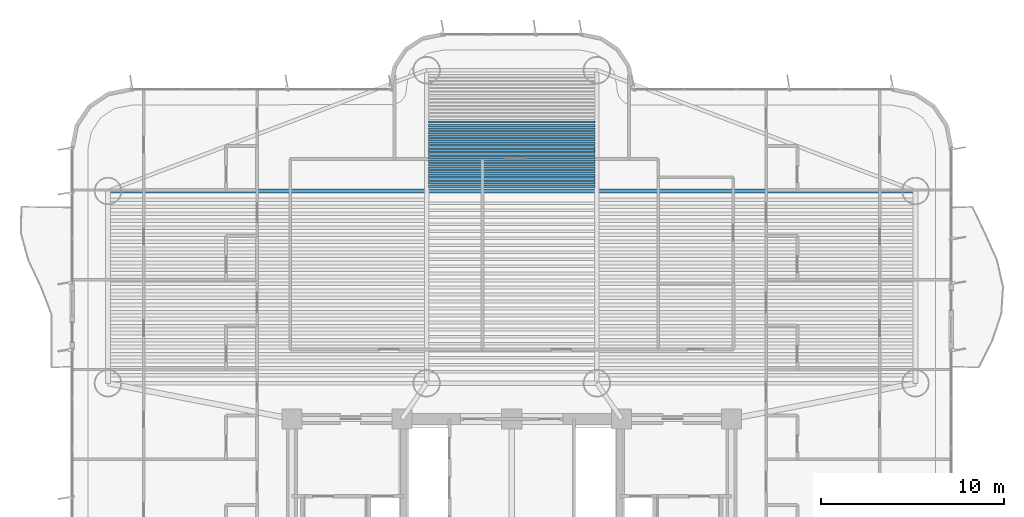
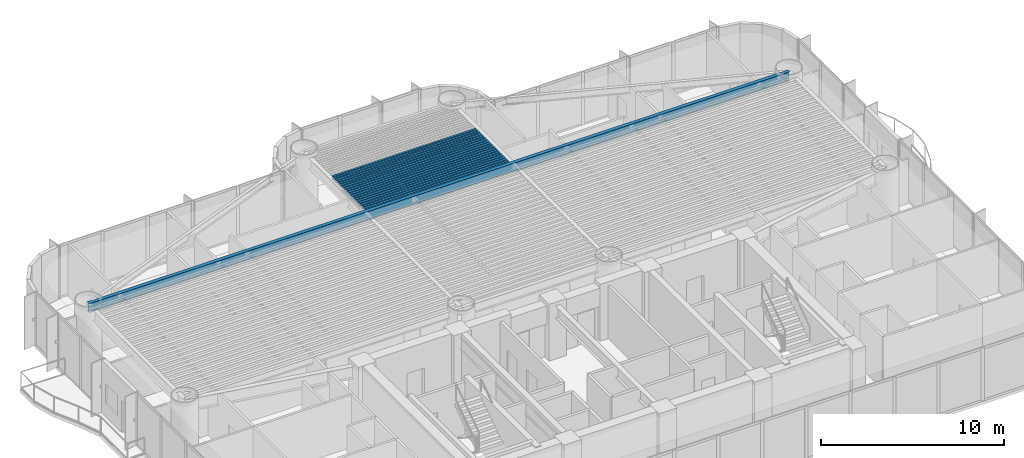
# One storey, part 4 of 19: 20 beams.
"""IFC4 building model written with IfcOpenShell, lengths in metres."""

from ifc_helpers import new_model, si_unit, direction, frame, origin, origin_2d, place, context, subcontext, project, spatial, i_section, extrude, source, transform, mapped, material, material_profile, profile_set, type_object, element, save


model = new_model("IFC4")

# Units and contexts
model_context = context("Model", 3, precision=1e-05, world=origin(), true_north=direction((0.0, 1.0)))
body_context = subcontext(model_context, "Body", "Model", "MODEL_VIEW")
ifc_project = project(units=[si_unit("LENGTHUNIT", "METRE"), si_unit("AREAUNIT", "SQUARE_METRE"), si_unit("VOLUMEUNIT", "CUBIC_METRE"), si_unit("PLANEANGLEUNIT", "RADIAN"), si_unit("MASSUNIT", "GRAM", prefix="KILO")], contexts=[model_context])

# Site, building, storey
site_placement = place(None, origin())
site = spatial("IfcSite", under=ifc_project, at=site_placement, CompositionType="ELEMENT")
building_placement = place(site_placement, origin())
building = spatial("IfcBuilding", under=site, at=building_placement, Name="Brelvock Crest Care Tower", CompositionType="ELEMENT")
storey_placement = place(building_placement, frame((0.0, 0.0, 64.800048828125)))
storey = spatial("IfcBuildingStorey", under=building, at=storey_placement, Name="L16", CompositionType="ELEMENT", Elevation=64.800048828125)

# Beams
ifc_material = material(Name="Steel Grade 350", Category="steel")
ifc_material_profile_1 = material_profile(ifc_material, i_section(OverallWidth=0.22900390625, OverallDepth=0.612060546875, WebThickness=0.011962890625, FlangeThickness=0.01953125, FilletRadius=0.013916015625, at=origin_2d()), Name="610UB125")
ifc_profile_set_1 = profile_set([ifc_material_profile_1], Name="Steel Grade 350")
beam_type_1 = type_object("IfcBeamType", Name="BM-G1", PredefinedType="BEAM", material=ifc_profile_set_1)
shared_shape_1 = source(origin(), body_context, "Body", "SweptSolid", [
    extrude(i_section(OverallWidth=0.22900390625, OverallDepth=0.612060546875, WebThickness=0.011962890625, FlangeThickness=0.01953125, FilletRadius=0.013916015625, at=origin_2d()), origin(), (0.0, 0.0, 1.0), 44.10009765625),
])
beam_placement = place(storey_placement, frame((13.949951171875, 30.449951171875, 3.223876953125), z_axis=(1.0, 0.0, 0.0), x_axis=(0.0, 1.0, 0.0)))
element("IfcBeam", 1, at=beam_placement, inside=storey, type_object=beam_type_1, Name="BM-TWR-L16-11", PredefinedType="BEAM", context=body_context, shape_type="MappedRepresentation", body=[
    mapped(shared_shape_1, transform((0.0, 0.0, 0.0), x_axis=(1.0, 0.0, 0.0), y_axis=(0.0, 1.0, 0.0), z_axis=(0.0, 0.0, 1.0), scale=1.0)),
])
ifc_material_profile_2 = material_profile(ifc_material, i_section(OverallWidth=0.14599609375, OverallDepth=0.256103515625, WebThickness=0.00634765625, FlangeThickness=0.010986328125, FilletRadius=0.0087890625, at=origin_2d()), Name="250UB37.3")
ifc_profile_set_2 = profile_set([ifc_material_profile_2], Name="Steel Grade 350")
beam_type_2 = type_object("IfcBeamType", Name="BM-J3", PredefinedType="JOIST", material=ifc_profile_set_2)
shared_shape_2 = source(origin(), body_context, "Body", "SweptSolid", [
    extrude(i_section(OverallWidth=0.14599609375, OverallDepth=0.256103515625, WebThickness=0.00634765625, FlangeThickness=0.010986328125, FilletRadius=0.0087890625, at=origin_2d()), origin(), (0.0, 0.0, 1.0), 9.06982421875),
])
for number, where, z_axis, x_axis, name in (
    (2, (31.465087890625, 30.714111328125, 3.40185546875), (1.0, 0.0, 0.0), (0.0, 1.0, 0.0), "BM-JN-L16-1"),
    (3, (31.465087890625, 30.90869140625, 3.40185546875), (1.0, 0.0, 0.0), (0.0, 1.0, 0.0), "BM-JN-L16-2"),
    (4, (31.465087890625, 31.103515625, 3.40185546875), (1.0, 0.0, 0.0), (0.0, 1.0, 0.0), "BM-JN-L16-3"),
    (5, (31.465087890625, 31.298095703125, 3.40185546875), (1.0, 0.0, 0.0), (0.0, 1.0, 0.0), "BM-JN-L16-4"),
    (6, (31.465087890625, 31.492919921875, 3.40185546875), (1.0, 0.0, 0.0), (0.0, 1.0, 0.0), "BM-JN-L16-5"),
    (7, (31.465087890625, 31.6875, 3.40185546875), (1.0, 0.0, 0.0), (0.0, 1.0, 0.0), "BM-JN-L16-6"),
    (8, (31.465087890625, 31.882080078125, 3.40185546875), (1.0, 0.0, 0.0), (0.0, 1.0, 0.0), "BM-JN-L16-7"),
    (9, (31.465087890625, 32.076904296875, 3.40185546875), (1.0, 0.0, 0.0), (0.0, 1.0, 0.0), "BM-JN-L16-8"),
    (10, (31.465087890625, 32.271484375, 3.40185546875), (1.0, 0.0, 0.0), (0.0, 1.0, 0.0), "BM-JN-L16-9"),
    (11, (31.465087890625, 32.46630859375, 3.40185546875), (1.0, 0.0, 0.0), (0.0, 1.0, 0.0), "BM-JN-L16-10"),
    (12, (31.465087890625, 32.660888671875, 3.40185546875), (1.0, 0.0, 0.0), (0.0, 1.0, 0.0), "BM-JN-L16-11"),
    (13, (31.465087890625, 32.855712890625, 3.40185546875), (1.0, 0.0, 0.0), (0.0, 1.0, 0.0), "BM-JN-L16-12"),
    (14, (31.465087890625, 33.05029296875, 3.40185546875), (1.0, 0.0, 0.0), (0.0, 1.0, 0.0), "BM-JN-L16-13"),
):
    element("IfcBeam", number, at=place(storey_placement, frame(where, z_axis=z_axis, x_axis=x_axis)), inside=storey, type_object=beam_type_2, Name=name, PredefinedType="JOIST", context=body_context, shape_type="MappedRepresentation", body=[
        mapped(shared_shape_2, transform((0.0, 0.0, 0.0), x_axis=(1.0, 0.0, 0.0), y_axis=(0.0, 1.0, 0.0), z_axis=(0.0, 0.0, 1.0), scale=1.0)),
    ])
ifc_material_profile_3 = material_profile(ifc_material, i_section(OverallWidth=0.134033203125, OverallDepth=0.20703125, WebThickness=0.00634765625, FlangeThickness=0.009521484375, FilletRadius=0.0087890625, at=origin_2d()), Name="200UB29.8")
ifc_profile_set_3 = profile_set([ifc_material_profile_3], Name="Steel Grade 350")
beam_type_3 = type_object("IfcBeamType", Name="BM-J4", PredefinedType="JOIST", material=ifc_profile_set_3)
shared_shape_3 = source(origin(), body_context, "Body", "SweptSolid", [
    extrude(i_section(OverallWidth=0.134033203125, OverallDepth=0.20703125, WebThickness=0.00634765625, FlangeThickness=0.009521484375, FilletRadius=0.0087890625, at=origin_2d()), origin(), (0.0, 0.0, 1.0), 9.06982421875),
])
for number, where, z_axis, x_axis, name in (
    (15, (31.465087890625, 33.2451171875, 3.426513671875), (1.0, 0.0, 0.0), (0.0, 1.0, 0.0), "BM-JN-L16-14"),
    (16, (31.465087890625, 33.439697265625, 3.426513671875), (1.0, 0.0, 0.0), (0.0, 1.0, 0.0), "BM-JN-L16-15"),
    (17, (31.465087890625, 33.634521484375, 3.426513671875), (1.0, 0.0, 0.0), (0.0, 1.0, 0.0), "BM-JN-L16-16"),
    (18, (31.465087890625, 33.8291015625, 3.426513671875), (1.0, 0.0, 0.0), (0.0, 1.0, 0.0), "BM-JN-L16-17"),
    (19, (31.465087890625, 34.02392578125, 3.426513671875), (1.0, 0.0, 0.0), (0.0, 1.0, 0.0), "BM-JN-L16-18"),
    (20, (31.465087890625, 34.218505859375, 3.426513671875), (1.0, 0.0, 0.0), (0.0, 1.0, 0.0), "BM-JN-L16-19"),
):
    element("IfcBeam", number, at=place(storey_placement, frame(where, z_axis=z_axis, x_axis=x_axis)), inside=storey, type_object=beam_type_3, Name=name, PredefinedType="JOIST", context=body_context, shape_type="MappedRepresentation", body=[
        mapped(shared_shape_3, transform((0.0, 0.0, 0.0), x_axis=(1.0, 0.0, 0.0), y_axis=(0.0, 1.0, 0.0), z_axis=(0.0, 0.0, 1.0), scale=1.0)),
    ])

save(model, "model.ifc")
